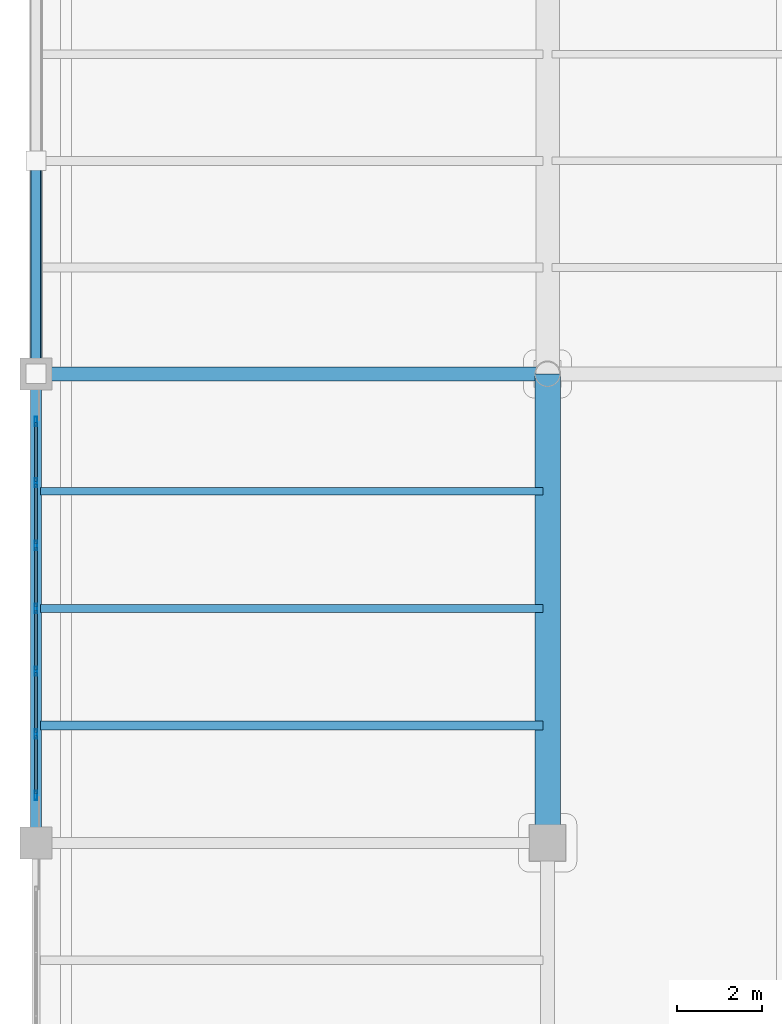
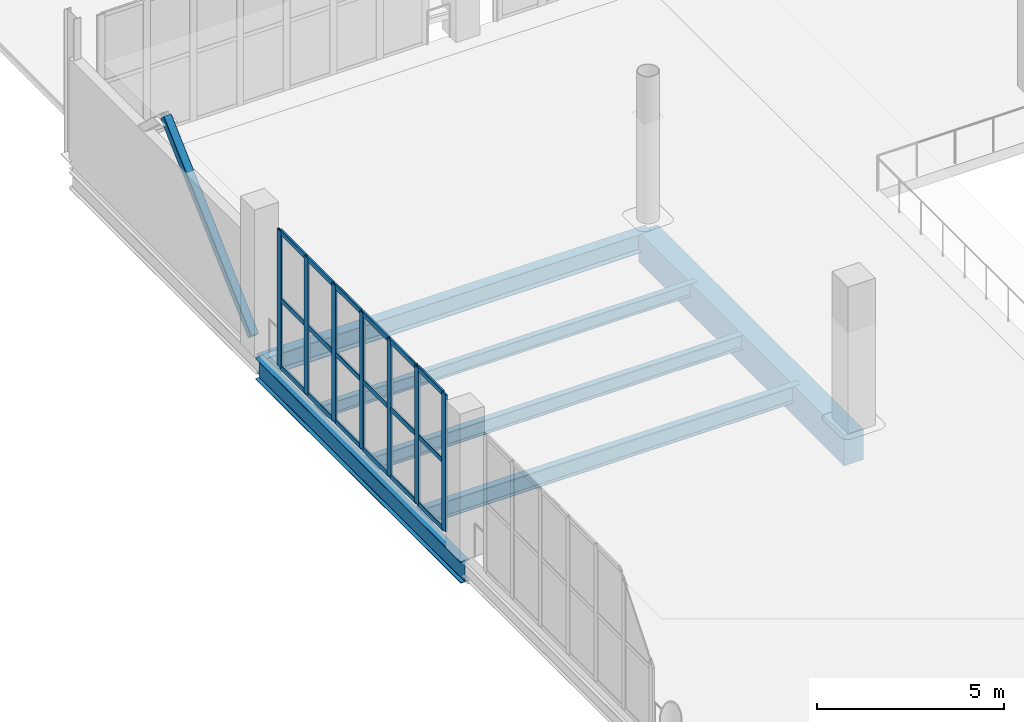
# One storey, part 25 of 136: 26 members, 6 beams, 1 element without a shape of its own.
"""IFC4 building model written with IfcOpenShell, lengths in metres."""

from ifc_helpers import new_model, si_unit, direction, frame, origin, origin_2d, place, context, subcontext, project, spatial, rectangle, hollow_rectangle, i_section, extrude, material, layer, layer_set, material_profile, profile_set, type_object, element, aggregate, save


model = new_model("IFC4")

# Units and contexts
model_context = context("Model", 3, precision=1e-05, world=origin(), true_north=direction((0.0, 1.0)))
body_context = subcontext(model_context, "Body", "Model", "MODEL_VIEW")
ifc_project = project(units=[si_unit("LENGTHUNIT", "METRE"), si_unit("AREAUNIT", "SQUARE_METRE"), si_unit("VOLUMEUNIT", "CUBIC_METRE"), si_unit("PLANEANGLEUNIT", "RADIAN"), si_unit("MASSUNIT", "GRAM", prefix="KILO")], contexts=[model_context])

# Site, building, storey
site_placement = place(None, origin())
site = spatial("IfcSite", under=ifc_project, at=site_placement, CompositionType="ELEMENT")
building_placement = place(site_placement, origin())
building = spatial("IfcBuilding", under=site, at=building_placement, Name="Brinegate Civic Arena", CompositionType="ELEMENT")
storey_placement = place(building_placement, frame((0.0, 0.0, 5.39990234375)))
storey = spatial("IfcBuildingStorey", under=building, at=storey_placement, Name="L01", CompositionType="ELEMENT", Elevation=5.39990234375)

# Curtain wall, members
ifc_material_1 = material(Name="Marine grade aluminium", Category="aluminium")
ifc_layer = layer(ifc_material_1, 0.18505859375, Name="Marine grade aluminium")
ifc_layer_set = layer_set([ifc_layer], Name="Marine grade aluminium")
curtain_wall_type = type_object("IfcCurtainWallType", Name="CW-WING-GLAZED-03", PredefinedType="USERDEFINED", material=ifc_layer_set)
curtain_wall_placement = place(storey_placement, origin())
curtain_wall = element("IfcCurtainWall", 1, at=curtain_wall_placement, inside=storey, type_object=curtain_wall_type, Name="Curtain Wall CWA-013", ObjectType="GLAZED CURTAIN WALL", PredefinedType="USERDEFINED")
ifc_material_profile_1 = material_profile(ifc_material_1, hollow_rectangle(XDim=0.06494140625, YDim=0.219970703125, WallThickness=0.006103515625, InnerFilletRadius=0.00390625, OuterFilletRadius=0.008056640625, at=origin_2d()), Name="MUL65X220")
ifc_profile_set_1 = profile_set([ifc_material_profile_1], Name="Marine grade aluminium")
member_type_1 = type_object("IfcMemberType", Name="CW-MULLION-65X220", PredefinedType="MULLION", material=ifc_profile_set_1)
member_1_placement = place(storey_placement, frame((0.0, 32.112548828125, 0.0), z_axis=(0.0, 0.0, 1.0), x_axis=(-1.0, 0.0, 0.0)))
member_1 = element("IfcMember", 2, at=member_1_placement, type_object=member_type_1, Name="CWA-013 mullion 1", PredefinedType="MULLION", context=body_context, shape_type="SweptSolid", body=[
    extrude(hollow_rectangle(XDim=0.06494140625, YDim=0.219970703125, WallThickness=0.006103515625, InnerFilletRadius=0.00390625, OuterFilletRadius=0.008056640625, at=origin_2d()), origin(), (0.0, 0.0, 1.0), 4.47021484375),
])
member_2_placement = place(storey_placement, frame((0.0, 33.55322265625, 0.0), z_axis=(0.0, 0.0, 1.0), x_axis=(-1.0, 0.0, 0.0)))
member_2 = element("IfcMember", 3, at=member_2_placement, type_object=member_type_1, Name="CWA-013 mullion 2", PredefinedType="MULLION", context=body_context, shape_type="SweptSolid", body=[
    extrude(hollow_rectangle(XDim=0.06494140625, YDim=0.219970703125, WallThickness=0.006103515625, InnerFilletRadius=0.00390625, OuterFilletRadius=0.008056640625, at=origin_2d()), origin(), (0.0, 0.0, 1.0), 4.47021484375),
])
member_3_placement = place(storey_placement, frame((0.0, 35.026611328125, 0.0), z_axis=(0.0, 0.0, 1.0), x_axis=(-1.0, 0.0, 0.0)))
member_3 = element("IfcMember", 4, at=member_3_placement, type_object=member_type_1, Name="CWA-013 mullion 3", PredefinedType="MULLION", context=body_context, shape_type="SweptSolid", body=[
    extrude(hollow_rectangle(XDim=0.06494140625, YDim=0.219970703125, WallThickness=0.006103515625, InnerFilletRadius=0.00390625, OuterFilletRadius=0.008056640625, at=origin_2d()), origin(), (0.0, 0.0, 1.0), 4.47021484375),
])
member_4_placement = place(storey_placement, frame((0.0, 36.5, 0.0), z_axis=(0.0, 0.0, 1.0), x_axis=(-1.0, 0.0, 0.0)))
member_4 = element("IfcMember", 5, at=member_4_placement, type_object=member_type_1, Name="CWA-013 mullion 4", PredefinedType="MULLION", context=body_context, shape_type="SweptSolid", body=[
    extrude(hollow_rectangle(XDim=0.06494140625, YDim=0.219970703125, WallThickness=0.006103515625, InnerFilletRadius=0.00390625, OuterFilletRadius=0.008056640625, at=origin_2d()), origin(), (0.0, 0.0, 1.0), 4.47021484375),
])
member_5_placement = place(storey_placement, frame((0.0, 37.973388671875, 0.0), z_axis=(0.0, 0.0, 1.0), x_axis=(-1.0, 0.0, 0.0)))
member_5 = element("IfcMember", 6, at=member_5_placement, type_object=member_type_1, Name="CWA-013 mullion 5", PredefinedType="MULLION", context=body_context, shape_type="SweptSolid", body=[
    extrude(hollow_rectangle(XDim=0.06494140625, YDim=0.219970703125, WallThickness=0.006103515625, InnerFilletRadius=0.00390625, OuterFilletRadius=0.008056640625, at=origin_2d()), origin(), (0.0, 0.0, 1.0), 4.47021484375),
])
member_6_placement = place(storey_placement, frame((0.0, 39.44677734375, 0.0), z_axis=(0.0, 0.0, 1.0), x_axis=(-1.0, 0.0, 0.0)))
member_6 = element("IfcMember", 7, at=member_6_placement, type_object=member_type_1, Name="CWA-013 mullion 6", PredefinedType="MULLION", context=body_context, shape_type="SweptSolid", body=[
    extrude(hollow_rectangle(XDim=0.06494140625, YDim=0.219970703125, WallThickness=0.006103515625, InnerFilletRadius=0.00390625, OuterFilletRadius=0.008056640625, at=origin_2d()), origin(), (0.0, 0.0, 1.0), 4.47021484375),
])
member_7_placement = place(storey_placement, frame((0.0, 40.887451171875, 0.0), z_axis=(0.0, 0.0, 1.0), x_axis=(-1.0, 0.0, 0.0)))
member_7 = element("IfcMember", 8, at=member_7_placement, type_object=member_type_1, Name="CWA-013 mullion 7", PredefinedType="MULLION", context=body_context, shape_type="SweptSolid", body=[
    extrude(hollow_rectangle(XDim=0.06494140625, YDim=0.219970703125, WallThickness=0.006103515625, InnerFilletRadius=0.00390625, OuterFilletRadius=0.008056640625, at=origin_2d()), origin(), (0.0, 0.0, 1.0), 4.47021484375),
])
ifc_material_profile_2 = material_profile(ifc_material_1, hollow_rectangle(XDim=0.06494140625, YDim=0.1650390625, WallThickness=0.0048828125, InnerFilletRadius=0.00390625, OuterFilletRadius=0.008056640625, at=origin_2d()), Name="TRN65X165")
ifc_profile_set_2 = profile_set([ifc_material_profile_2], Name="Marine grade aluminium")
member_type_2 = type_object("IfcMemberType", Name="CW-TRANSOM-65X165", PredefinedType="USERDEFINED", material=ifc_profile_set_2)
member_8_placement = place(storey_placement, frame((0.0, 32.14501953125, 0.03271484375), z_axis=(0.0, 1.0, 0.0), x_axis=(-1.0, 0.0, 0.0)))
member_8 = element("IfcMember", 9, at=member_8_placement, type_object=member_type_2, Name="CWA-013 transom 1.1", ObjectType="TRANSOM", PredefinedType="USERDEFINED", context=body_context, shape_type="SweptSolid", body=[
    extrude(hollow_rectangle(XDim=0.06494140625, YDim=0.1650390625, WallThickness=0.0048828125, InnerFilletRadius=0.00390625, OuterFilletRadius=0.008056640625, at=origin_2d()), origin(), (0.0, 0.0, 1.0), 1.375732421875),
])
member_9_placement = place(storey_placement, frame((0.0, 32.14501953125, 2.235107421875), z_axis=(0.0, 1.0, 0.0), x_axis=(-1.0, 0.0, 0.0)))
member_9 = element("IfcMember", 10, at=member_9_placement, type_object=member_type_2, Name="CWA-013 transom 1.2", ObjectType="TRANSOM", PredefinedType="USERDEFINED", context=body_context, shape_type="SweptSolid", body=[
    extrude(hollow_rectangle(XDim=0.06494140625, YDim=0.1650390625, WallThickness=0.0048828125, InnerFilletRadius=0.00390625, OuterFilletRadius=0.008056640625, at=origin_2d()), origin(), (0.0, 0.0, 1.0), 1.375732421875),
])
member_10_placement = place(storey_placement, frame((0.0, 32.14501953125, 4.4375), z_axis=(0.0, 1.0, 0.0), x_axis=(-1.0, 0.0, 0.0)))
member_10 = element("IfcMember", 11, at=member_10_placement, type_object=member_type_2, Name="CWA-013 transom 1.3", ObjectType="TRANSOM", PredefinedType="USERDEFINED", context=body_context, shape_type="SweptSolid", body=[
    extrude(hollow_rectangle(XDim=0.06494140625, YDim=0.1650390625, WallThickness=0.0048828125, InnerFilletRadius=0.00390625, OuterFilletRadius=0.008056640625, at=origin_2d()), origin(), (0.0, 0.0, 1.0), 1.375732421875),
])
member_11_placement = place(storey_placement, frame((0.0, 33.5859375, 0.03271484375), z_axis=(0.0, 1.0, 0.0), x_axis=(-1.0, 0.0, 0.0)))
member_11 = element("IfcMember", 12, at=member_11_placement, type_object=member_type_2, Name="CWA-013 transom 2.1", ObjectType="TRANSOM", PredefinedType="USERDEFINED", context=body_context, shape_type="SweptSolid", body=[
    extrude(hollow_rectangle(XDim=0.06494140625, YDim=0.1650390625, WallThickness=0.0048828125, InnerFilletRadius=0.00390625, OuterFilletRadius=0.008056640625, at=origin_2d()), origin(), (0.0, 0.0, 1.0), 1.408203125),
])
member_12_placement = place(storey_placement, frame((0.0, 33.5859375, 2.235107421875), z_axis=(0.0, 1.0, 0.0), x_axis=(-1.0, 0.0, 0.0)))
member_12 = element("IfcMember", 13, at=member_12_placement, type_object=member_type_2, Name="CWA-013 transom 2.2", ObjectType="TRANSOM", PredefinedType="USERDEFINED", context=body_context, shape_type="SweptSolid", body=[
    extrude(hollow_rectangle(XDim=0.06494140625, YDim=0.1650390625, WallThickness=0.0048828125, InnerFilletRadius=0.00390625, OuterFilletRadius=0.008056640625, at=origin_2d()), origin(), (0.0, 0.0, 1.0), 1.408203125),
])
member_13_placement = place(storey_placement, frame((0.0, 33.5859375, 4.4375), z_axis=(0.0, 1.0, 0.0), x_axis=(-1.0, 0.0, 0.0)))
member_13 = element("IfcMember", 14, at=member_13_placement, type_object=member_type_2, Name="CWA-013 transom 2.3", ObjectType="TRANSOM", PredefinedType="USERDEFINED", context=body_context, shape_type="SweptSolid", body=[
    extrude(hollow_rectangle(XDim=0.06494140625, YDim=0.1650390625, WallThickness=0.0048828125, InnerFilletRadius=0.00390625, OuterFilletRadius=0.008056640625, at=origin_2d()), origin(), (0.0, 0.0, 1.0), 1.408203125),
])
member_14_placement = place(storey_placement, frame((0.0, 35.05908203125, 0.03271484375), z_axis=(0.0, 1.0, 0.0), x_axis=(-1.0, 0.0, 0.0)))
member_14 = element("IfcMember", 15, at=member_14_placement, type_object=member_type_2, Name="CWA-013 transom 3.1", ObjectType="TRANSOM", PredefinedType="USERDEFINED", context=body_context, shape_type="SweptSolid", body=[
    extrude(hollow_rectangle(XDim=0.06494140625, YDim=0.1650390625, WallThickness=0.0048828125, InnerFilletRadius=0.00390625, OuterFilletRadius=0.008056640625, at=origin_2d()), origin(), (0.0, 0.0, 1.0), 1.408447265625),
])
member_15_placement = place(storey_placement, frame((0.0, 35.05908203125, 2.235107421875), z_axis=(0.0, 1.0, 0.0), x_axis=(-1.0, 0.0, 0.0)))
member_15 = element("IfcMember", 16, at=member_15_placement, type_object=member_type_2, Name="CWA-013 transom 3.2", ObjectType="TRANSOM", PredefinedType="USERDEFINED", context=body_context, shape_type="SweptSolid", body=[
    extrude(hollow_rectangle(XDim=0.06494140625, YDim=0.1650390625, WallThickness=0.0048828125, InnerFilletRadius=0.00390625, OuterFilletRadius=0.008056640625, at=origin_2d()), origin(), (0.0, 0.0, 1.0), 1.408447265625),
])
member_16_placement = place(storey_placement, frame((0.0, 35.05908203125, 4.4375), z_axis=(0.0, 1.0, 0.0), x_axis=(-1.0, 0.0, 0.0)))
member_16 = element("IfcMember", 17, at=member_16_placement, type_object=member_type_2, Name="CWA-013 transom 3.3", ObjectType="TRANSOM", PredefinedType="USERDEFINED", context=body_context, shape_type="SweptSolid", body=[
    extrude(hollow_rectangle(XDim=0.06494140625, YDim=0.1650390625, WallThickness=0.0048828125, InnerFilletRadius=0.00390625, OuterFilletRadius=0.008056640625, at=origin_2d()), origin(), (0.0, 0.0, 1.0), 1.408447265625),
])
member_17_placement = place(storey_placement, frame((0.0, 36.532470703125, 0.03271484375), z_axis=(0.0, 1.0, 0.0), x_axis=(-1.0, 0.0, 0.0)))
member_17 = element("IfcMember", 18, at=member_17_placement, type_object=member_type_2, Name="CWA-013 transom 4.1", ObjectType="TRANSOM", PredefinedType="USERDEFINED", context=body_context, shape_type="SweptSolid", body=[
    extrude(hollow_rectangle(XDim=0.06494140625, YDim=0.1650390625, WallThickness=0.0048828125, InnerFilletRadius=0.00390625, OuterFilletRadius=0.008056640625, at=origin_2d()), origin(), (0.0, 0.0, 1.0), 1.408447265625),
])
member_18_placement = place(storey_placement, frame((0.0, 36.532470703125, 2.235107421875), z_axis=(0.0, 1.0, 0.0), x_axis=(-1.0, 0.0, 0.0)))
member_18 = element("IfcMember", 19, at=member_18_placement, type_object=member_type_2, Name="CWA-013 transom 4.2", ObjectType="TRANSOM", PredefinedType="USERDEFINED", context=body_context, shape_type="SweptSolid", body=[
    extrude(hollow_rectangle(XDim=0.06494140625, YDim=0.1650390625, WallThickness=0.0048828125, InnerFilletRadius=0.00390625, OuterFilletRadius=0.008056640625, at=origin_2d()), origin(), (0.0, 0.0, 1.0), 1.408447265625),
])
member_19_placement = place(storey_placement, frame((0.0, 36.532470703125, 4.4375), z_axis=(0.0, 1.0, 0.0), x_axis=(-1.0, 0.0, 0.0)))
member_19 = element("IfcMember", 20, at=member_19_placement, type_object=member_type_2, Name="CWA-013 transom 4.3", ObjectType="TRANSOM", PredefinedType="USERDEFINED", context=body_context, shape_type="SweptSolid", body=[
    extrude(hollow_rectangle(XDim=0.06494140625, YDim=0.1650390625, WallThickness=0.0048828125, InnerFilletRadius=0.00390625, OuterFilletRadius=0.008056640625, at=origin_2d()), origin(), (0.0, 0.0, 1.0), 1.408447265625),
])
member_20_placement = place(storey_placement, frame((0.0, 38.005859375, 0.03271484375), z_axis=(0.0, 1.0, 0.0), x_axis=(-1.0, 0.0, 0.0)))
member_20 = element("IfcMember", 21, at=member_20_placement, type_object=member_type_2, Name="CWA-013 transom 5.1", ObjectType="TRANSOM", PredefinedType="USERDEFINED", context=body_context, shape_type="SweptSolid", body=[
    extrude(hollow_rectangle(XDim=0.06494140625, YDim=0.1650390625, WallThickness=0.0048828125, InnerFilletRadius=0.00390625, OuterFilletRadius=0.008056640625, at=origin_2d()), origin(), (0.0, 0.0, 1.0), 1.408203125),
])
member_21_placement = place(storey_placement, frame((0.0, 38.005859375, 2.235107421875), z_axis=(0.0, 1.0, 0.0), x_axis=(-1.0, 0.0, 0.0)))
member_21 = element("IfcMember", 22, at=member_21_placement, type_object=member_type_2, Name="CWA-013 transom 5.2", ObjectType="TRANSOM", PredefinedType="USERDEFINED", context=body_context, shape_type="SweptSolid", body=[
    extrude(hollow_rectangle(XDim=0.06494140625, YDim=0.1650390625, WallThickness=0.0048828125, InnerFilletRadius=0.00390625, OuterFilletRadius=0.008056640625, at=origin_2d()), origin(), (0.0, 0.0, 1.0), 1.408203125),
])
member_22_placement = place(storey_placement, frame((0.0, 38.005859375, 4.4375), z_axis=(0.0, 1.0, 0.0), x_axis=(-1.0, 0.0, 0.0)))
member_22 = element("IfcMember", 23, at=member_22_placement, type_object=member_type_2, Name="CWA-013 transom 5.3", ObjectType="TRANSOM", PredefinedType="USERDEFINED", context=body_context, shape_type="SweptSolid", body=[
    extrude(hollow_rectangle(XDim=0.06494140625, YDim=0.1650390625, WallThickness=0.0048828125, InnerFilletRadius=0.00390625, OuterFilletRadius=0.008056640625, at=origin_2d()), origin(), (0.0, 0.0, 1.0), 1.408203125),
])
member_23_placement = place(storey_placement, frame((0.0, 39.479248046875, 0.03271484375), z_axis=(0.0, 1.0, 0.0), x_axis=(-1.0, 0.0, 0.0)))
member_23 = element("IfcMember", 24, at=member_23_placement, type_object=member_type_2, Name="CWA-013 transom 6.1", ObjectType="TRANSOM", PredefinedType="USERDEFINED", context=body_context, shape_type="SweptSolid", body=[
    extrude(hollow_rectangle(XDim=0.06494140625, YDim=0.1650390625, WallThickness=0.0048828125, InnerFilletRadius=0.00390625, OuterFilletRadius=0.008056640625, at=origin_2d()), origin(), (0.0, 0.0, 1.0), 1.375732421875),
])
member_24_placement = place(storey_placement, frame((0.0, 39.479248046875, 2.235107421875), z_axis=(0.0, 1.0, 0.0), x_axis=(-1.0, 0.0, 0.0)))
member_24 = element("IfcMember", 25, at=member_24_placement, type_object=member_type_2, Name="CWA-013 transom 6.2", ObjectType="TRANSOM", PredefinedType="USERDEFINED", context=body_context, shape_type="SweptSolid", body=[
    extrude(hollow_rectangle(XDim=0.06494140625, YDim=0.1650390625, WallThickness=0.0048828125, InnerFilletRadius=0.00390625, OuterFilletRadius=0.008056640625, at=origin_2d()), origin(), (0.0, 0.0, 1.0), 1.375732421875),
])
member_25_placement = place(storey_placement, frame((0.0, 39.479248046875, 4.4375), z_axis=(0.0, 1.0, 0.0), x_axis=(-1.0, 0.0, 0.0)))
member_25 = element("IfcMember", 26, at=member_25_placement, type_object=member_type_2, Name="CWA-013 transom 6.3", ObjectType="TRANSOM", PredefinedType="USERDEFINED", context=body_context, shape_type="SweptSolid", body=[
    extrude(hollow_rectangle(XDim=0.06494140625, YDim=0.1650390625, WallThickness=0.0048828125, InnerFilletRadius=0.00390625, OuterFilletRadius=0.008056640625, at=origin_2d()), origin(), (0.0, 0.0, 1.0), 1.375732421875),
])
aggregate(curtain_wall, [member_1, member_2, member_3, member_4, member_5, member_6, member_7, member_8, member_9, member_10, member_11, member_12, member_13, member_14, member_15, member_16, member_17, member_18, member_19, member_20, member_21, member_22, member_23, member_24, member_25])

# Beams
ifc_material_2 = material(Name="Steel S355", Category="steel")
ifc_material_profile_3 = material_profile(ifc_material_2, i_section(OverallWidth=0.323974609375, OverallDepth=0.611083984375, WebThickness=0.012939453125, FlangeThickness=0.01904296875, FilletRadius=0.01611328125, at=origin_2d()), Name="W610X155")
ifc_profile_set_3 = profile_set([ifc_material_profile_3], Name="Steel S355")
beam_type_1 = type_object("IfcBeamType", Name="GIRDER-W610X155", PredefinedType="BEAM", material=ifc_profile_set_3)
beam_1_placement = place(storey_placement, frame((0.0, 42.0, -0.64501953125), z_axis=(1.0, 0.0, 0.0), x_axis=(0.0, 1.0, 0.0)))
element("IfcBeam", 27, at=beam_1_placement, inside=storey, type_object=beam_type_1, Name="Floor Girder BM-L01-GX-00-04", PredefinedType="BEAM", context=body_context, shape_type="SweptSolid", body=[
    extrude(i_section(OverallWidth=0.323974609375, OverallDepth=0.611083984375, WebThickness=0.012939453125, FlangeThickness=0.01904296875, FilletRadius=0.01611328125, at=origin_2d()), origin(), (0.0, 0.0, 1.0), 12.0),
])
ifc_material_profile_4 = material_profile(ifc_material_2, i_section(OverallWidth=0.179931640625, OverallDepth=0.4130859375, WebThickness=0.010009765625, FlangeThickness=0.01611328125, FilletRadius=0.013916015625, at=origin_2d()), Name="W410X75")
ifc_profile_set_4 = profile_set([ifc_material_profile_4], Name="Steel S355")
beam_type_2 = type_object("IfcBeamType", Name="JOIST-W410X75", PredefinedType="JOIST", material=ifc_profile_set_4)
beam_2_placement = place(storey_placement, frame((0.10595703125, 39.25, -0.5458984375), z_axis=(1.0, 0.0, 0.0), x_axis=(0.0, 1.0, 0.0)))
element("IfcBeam", 28, at=beam_2_placement, inside=storey, type_object=beam_type_2, Name="Secondary Joist BM-L01-JX-00-03-3", PredefinedType="JOIST", context=body_context, shape_type="SweptSolid", body=[
    extrude(i_section(OverallWidth=0.179931640625, OverallDepth=0.4130859375, WebThickness=0.010009765625, FlangeThickness=0.01611328125, FilletRadius=0.013916015625, at=origin_2d()), origin(), (0.0, 0.0, 1.0), 11.7880859375),
])
ifc_material_profile_5 = material_profile(ifc_material_2, i_section(OverallWidth=0.193115234375, OverallDepth=0.466064453125, WebThickness=0.010986328125, FlangeThickness=0.01904296875, FilletRadius=0.014892578125, at=origin_2d()), Name="W460X97")
ifc_profile_set_5 = profile_set([ifc_material_profile_5], Name="Steel S355")
beam_type_3 = type_object("IfcBeamType", Name="JOIST-W460X97", PredefinedType="JOIST", material=ifc_profile_set_5)
beam_3_placement = place(storey_placement, frame((0.10595703125, 36.5, -0.572998046875), z_axis=(1.0, 0.0, 0.0), x_axis=(0.0, 1.0, 0.0)))
element("IfcBeam", 29, at=beam_3_placement, inside=storey, type_object=beam_type_3, Name="Secondary Joist BM-L01-JX-00-03-2", PredefinedType="JOIST", context=body_context, shape_type="SweptSolid", body=[
    extrude(i_section(OverallWidth=0.193115234375, OverallDepth=0.466064453125, WebThickness=0.010986328125, FlangeThickness=0.01904296875, FilletRadius=0.014892578125, at=origin_2d()), origin(), (0.0, 0.0, 1.0), 11.7880859375),
])
ifc_material_profile_6 = material_profile(ifc_material_2, i_section(OverallWidth=0.2119140625, OverallDepth=0.5439453125, WebThickness=0.012939453125, FlangeThickness=0.02099609375, FilletRadius=0.01611328125, at=origin_2d()), Name="W530X123")
ifc_profile_set_6 = profile_set([ifc_material_profile_6], Name="Steel S355")
beam_type_4 = type_object("IfcBeamType", Name="JOIST-W530X123", PredefinedType="JOIST", material=ifc_profile_set_6)
beam_4_placement = place(storey_placement, frame((0.10595703125, 33.75, -0.61181640625), z_axis=(1.0, 0.0, 0.0), x_axis=(0.0, 1.0, 0.0)))
element("IfcBeam", 30, at=beam_4_placement, inside=storey, type_object=beam_type_4, Name="Secondary Joist BM-L01-JX-00-03-1", PredefinedType="JOIST", context=body_context, shape_type="SweptSolid", body=[
    extrude(i_section(OverallWidth=0.2119140625, OverallDepth=0.5439453125, WebThickness=0.012939453125, FlangeThickness=0.02099609375, FilletRadius=0.01611328125, at=origin_2d()), origin(), (0.0, 0.0, 1.0), 11.7880859375),
])
ifc_material_3 = material(Name="Concrete C50/60", Category="concrete")
ifc_material_profile_7 = material_profile(ifc_material_3, rectangle(XDim=0.60009765625, YDim=1.0, at=origin_2d()), Name="RCB600X1000")
ifc_profile_set_7 = profile_set([ifc_material_profile_7], Name="Concrete C50/60")
beam_type_5 = type_object("IfcBeamType", Name="RCG-600X1000", PredefinedType="BEAM", material=ifc_profile_set_7)
beam_5_placement = place(storey_placement, frame((12.0, 31.0, -0.83984375), z_axis=(0.0, 1.0, 0.0), x_axis=(-1.0, 0.0, 0.0)))
element("IfcBeam", 31, at=beam_5_placement, inside=storey, type_object=beam_type_5, Name="Floor Girder BM-L01-GY-01-03", PredefinedType="BEAM", context=body_context, shape_type="SweptSolid", body=[
    extrude(rectangle(XDim=0.60009765625, YDim=1.0, at=origin_2d()), origin(), (0.0, 0.0, 1.0), 11.0),
])

# Member
ifc_material_profile_8 = material_profile(ifc_material_2, hollow_rectangle(XDim=0.25, YDim=0.25, WallThickness=0.011962890625, InnerFilletRadius=0.011962890625, OuterFilletRadius=0.02392578125, at=origin_2d()), Name="SHS250X12")
ifc_profile_set_8 = profile_set([ifc_material_profile_8], Name="Steel S355")
member_type_3 = type_object("IfcMemberType", Name="SF-BRACE-SHS250", PredefinedType="BRACE", material=ifc_profile_set_8)
member_26_placement = place(storey_placement, frame((0.0, 42.320068359375, 0.150146484375), z_axis=(0.0, 0.734793157262, 0.678291247209), x_axis=(-1.0, 0.0, 0.0)))
element("IfcMember", 32, at=member_26_placement, inside=storey, type_object=member_type_3, Name="Lateral Chevron Brace 04-A", PredefinedType="BRACE", context=body_context, shape_type="SweptSolid", body=[
    extrude(hollow_rectangle(XDim=0.25, YDim=0.25, WallThickness=0.011962890625, InnerFilletRadius=0.011962890625, OuterFilletRadius=0.02392578125, at=origin_2d()), origin(), (0.0, 0.0, 1.0), 6.369140625),
])

# Beam
ifc_material_profile_9 = material_profile(ifc_material_2, i_section(OverallWidth=0.256103515625, OverallDepth=0.693115234375, WebThickness=0.014892578125, FlangeThickness=0.02392578125, FilletRadius=0.01806640625, at=origin_2d()), Name="W690X170")
ifc_profile_set_9 = profile_set([ifc_material_profile_9], Name="Steel S355")
beam_type_6 = type_object("IfcBeamType", Name="SPANDREL-W690X170", PredefinedType="SPANDREL", material=ifc_profile_set_9)
beam_6_placement = place(storey_placement, frame((0.0, 31.0, -0.685791015625), z_axis=(0.0, 1.0, 0.0), x_axis=(-1.0, 0.0, 0.0)))
element("IfcBeam", 33, at=beam_6_placement, inside=storey, type_object=beam_type_6, Name="Floor Girder BM-L01-GY-00-03", PredefinedType="SPANDREL", context=body_context, shape_type="SweptSolid", body=[
    extrude(i_section(OverallWidth=0.256103515625, OverallDepth=0.693115234375, WebThickness=0.014892578125, FlangeThickness=0.02392578125, FilletRadius=0.01806640625, at=origin_2d()), origin(), (0.0, 0.0, 1.0), 11.0),
])

save(model, "model.ifc")
